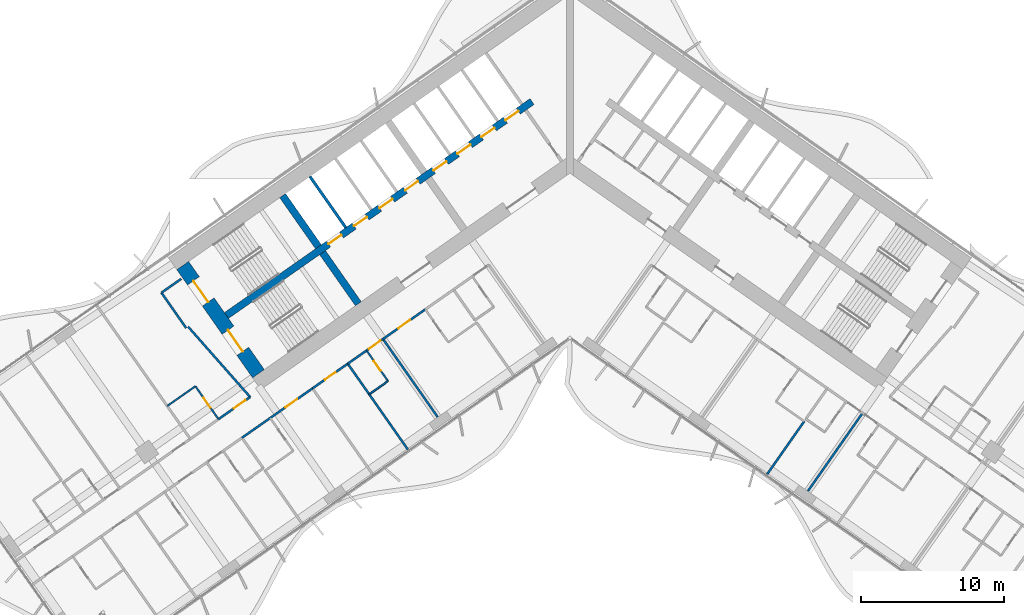
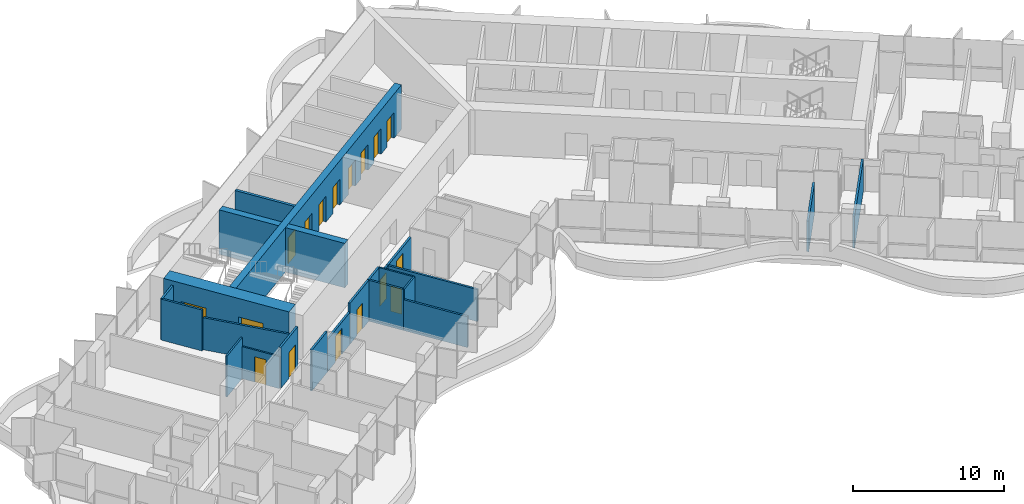
# One storey, part 14 of 25: 24 walls, 17 doors, 17 openings.
"""IFC4 building model written with IfcOpenShell, lengths in metres."""

from ifc_helpers import new_model, si_unit, direction, frame, frame_2d, origin, place, context, subcontext, project, spatial, polyline, rectangle, outline, extrude, material, layer, layer_set, type_object, element, fill, save


model = new_model("IFC4")

# Units and contexts
model_context = context("Model", 3, precision=1e-05, world=origin(), true_north=direction((0.0, 1.0)))
body_context = subcontext(model_context, "Body", "Model", "MODEL_VIEW")
ifc_project = project(units=[si_unit("LENGTHUNIT", "METRE"), si_unit("AREAUNIT", "SQUARE_METRE"), si_unit("VOLUMEUNIT", "CUBIC_METRE"), si_unit("PLANEANGLEUNIT", "RADIAN"), si_unit("MASSUNIT", "GRAM", prefix="KILO")], contexts=[model_context])

# Site, building, storey
site_placement = place(None, origin())
site = spatial("IfcSite", under=ifc_project, at=site_placement, CompositionType="ELEMENT")
building_placement = place(site_placement, origin())
building = spatial("IfcBuilding", under=site, at=building_placement, Name="Tel Ilan Convention Tower", CompositionType="ELEMENT")
storey_placement = place(building_placement, frame((0.0, 0.0, 54.5)))
storey = spatial("IfcBuildingStorey", under=building, at=storey_placement, Name="L08", CompositionType="ELEMENT", Elevation=54.5)

# Wall, openings, doors
ifc_material_1 = material(Name="Concrete C60/75", Category="concrete")
ifc_layer_1 = layer(ifc_material_1, 1.0)
ifc_layer_set_1 = layer_set([ifc_layer_1], Name="Core Shear Wall 1000 mm C60/75")
wall_type_1 = type_object("IfcWallType", Name="Core Shear Wall 1000 mm C60/75", PredefinedType="SHEAR", material=ifc_layer_set_1)
wall_1_placement = place(storey_placement, frame((-21.70751953125, -15.19970703125, 0.0), z_axis=(0.0, 0.0, 1.0), x_axis=(-0.573576324356, 0.819152122709, 0.0)))
wall_1 = element("IfcWall", 1, at=wall_1_placement, inside=storey, type_object=wall_type_1, Name="L08 core wall W-end", PredefinedType="SHEAR", context=body_context, shape_type="SweptSolid", body=[
    extrude(outline(polyline([(0.0, 0.5), (0.0, -0.5), (9.199951171875, -0.5), (9.199951171875, 0.5), (0.0, 0.5)])), origin(), (0.0, 0.0, 1.0), 3.60009765625),
])
opening_1_placement = place(wall_1_placement, frame((6.10009765625, 0.0, 0.0)))
opening_1 = element("IfcOpeningElement", 2, at=opening_1_placement, cuts=wall_1, Name="Opening SD1101", PredefinedType="OPENING", context=body_context, shape_type="SweptSolid", body=[
    extrude(rectangle(XDim=1.800048828125, YDim=2.10009765625, at=frame_2d((0.89990234375, 1.050048828125))), frame((0.0, 0.510009765625, 0.0), z_axis=(0.0, -1.0, 0.0), x_axis=(1.0, 0.0, 0.0)), (0.0, 0.0, 1.0), 1.02001953125),
])
opening_2_placement = place(wall_1_placement, frame((1.89990234375, 0.0, 0.0)))
opening_2 = element("IfcOpeningElement", 3, at=opening_2_placement, cuts=wall_1, Name="Opening SD1102", PredefinedType="OPENING", context=body_context, shape_type="SweptSolid", body=[
    extrude(rectangle(XDim=1.800048828125, YDim=2.10009765625, at=frame_2d((0.89990234375, 1.050048828125))), frame((0.0, 0.510009765625, 0.0), z_axis=(0.0, -1.0, 0.0), x_axis=(1.0, 0.0, 0.0)), (0.0, 0.0, 1.0), 1.02001953125),
])
ifc_material_2 = material(Name="Galvanised Steel Door Leaf", Category="steel")
door_type_1 = type_object("IfcDoorType", Name="Stair Fire Door 1800 x 2100 FD60S", OperationType="NOTDEFINED", PredefinedType="DOOR", material=ifc_material_2)
door_1_placement = place(opening_1_placement, origin())
door_1 = element("IfcDoor", 4, at=door_1_placement, inside=storey, type_object=door_type_1, Name="Stair S1 door", OperationType="DOUBLE_DOOR_SINGLE_SWING", OverallHeight=2.10009765625, OverallWidth=1.800048828125, PredefinedType="DOOR", context=body_context, shape_type="SweptSolid", body=[
    extrude(rectangle(XDim=1.800048828125, YDim=2.10009765625, at=frame_2d((0.89990234375, 1.050048828125))), frame((0.0, 0.02490234375, 0.0), z_axis=(0.0, -1.0, 0.0), x_axis=(1.0, 0.0, 0.0)), (0.0, 0.0, 1.0), 0.050048828125),
])
fill(opening_1, door_1)
door_2_placement = place(opening_2_placement, origin())
door_2 = element("IfcDoor", 5, at=door_2_placement, inside=storey, type_object=door_type_1, Name="Stair S2 door", OperationType="DOUBLE_DOOR_SINGLE_SWING", OverallHeight=2.10009765625, OverallWidth=1.800048828125, PredefinedType="DOOR", context=body_context, shape_type="SweptSolid", body=[
    extrude(rectangle(XDim=1.800048828125, YDim=2.10009765625, at=frame_2d((0.89990234375, 1.050048828125))), frame((0.0, 0.02490234375, 0.0), z_axis=(0.0, -1.0, 0.0), x_axis=(1.0, 0.0, 0.0)), (0.0, 0.0, 1.0), 0.050048828125),
])
fill(opening_2, door_2)

# Walls
ifc_material_3 = material(Name="Concrete C60/75", Category="concrete")
ifc_layer_2 = layer(ifc_material_3, 0.5)
ifc_layer_set_2 = layer_set([ifc_layer_2], Name="Core Shear Wall 500 mm C60/75")
wall_type_2 = type_object("IfcWallType", Name="Core Shear Wall 500 mm C60/75", PredefinedType="SHEAR", material=ifc_layer_set_2)
wall_2_placement = place(storey_placement, frame((-14.74462890625, -10.324462890625, 0.0), z_axis=(0.0, 0.0, 1.0), x_axis=(-0.57356780395, 0.819158088694, 0.0)))
element("IfcWall", 6, at=wall_2_placement, inside=storey, type_object=wall_type_2, Name="L08 core wall W-cross2-1", PredefinedType="SHEAR", context=body_context, shape_type="SweptSolid", body=[
    extrude(outline(polyline([(4.35009765625, 0.250244140625), (0.0, 0.25), (0.0, -0.25), (4.35009765625, -0.25), (4.35009765625, 0.250244140625)])), origin(), (0.0, 0.0, 1.0), 3.60009765625),
])
wall_3_placement = place(storey_placement, frame((-17.526611328125, -6.3515625, 0.0), z_axis=(0.0, 0.0, 1.0), x_axis=(-0.573530143085, 0.819184457233, 0.0)))
element("IfcWall", 7, at=wall_3_placement, inside=storey, type_object=wall_type_2, Name="L08 core wall W-cross2-2", PredefinedType="SHEAR", context=body_context, shape_type="SweptSolid", body=[
    extrude(outline(polyline([(4.35009765625, -0.249755859375), (4.35009765625, 0.250244140625), (0.0, 0.25), (0.0, -0.25), (4.35009765625, -0.249755859375)])), origin(), (0.0, 0.0, 1.0), 3.60009765625),
])

# Wall, openings, doors
wall_4_placement = place(storey_placement, frame((-2.638427734375, 3.76806640625, 0.0), z_axis=(0.0, 0.0, 1.0), x_axis=(-0.819148977158, -0.573580816643, 0.0)))
wall_4 = element("IfcWall", 8, at=wall_4_placement, inside=storey, type_object=wall_type_2, Name="L08 core wall W-spine", PredefinedType="SHEAR", context=body_context, shape_type="SweptSolid", body=[
    extrude(outline(polyline([(26.0, 0.249755859375), (0.0, 0.25), (0.0, -0.25), (26.0, -0.250244140625), (26.0, 0.249755859375)])), origin(), (0.0, 0.0, 1.0), 3.60009765625),
])
opening_3_placement = place(wall_4_placement, frame((1.168701171875, 0.0, 0.0)))
opening_3 = element("IfcOpeningElement", 9, at=opening_3_placement, cuts=wall_4, Name="Opening LD1104", PredefinedType="OPENING", context=body_context, shape_type="SweptSolid", body=[
    extrude(rectangle(XDim=1.10009765625, YDim=2.10009765625, at=frame_2d((0.550048828125, 1.050048828125))), frame((0.0, 0.260009765625, 0.0), z_axis=(0.0, -1.0, 0.0), x_axis=(1.0, 0.0, 0.0)), (0.0, 0.0, 1.0), 0.52001953125),
])
opening_4_placement = place(wall_4_placement, frame((3.206298828125, 0.0, 0.0)))
opening_4 = element("IfcOpeningElement", 10, at=opening_4_placement, cuts=wall_4, Name="Opening LD1105", PredefinedType="OPENING", context=body_context, shape_type="SweptSolid", body=[
    extrude(rectangle(XDim=1.10009765625, YDim=2.10009765625, at=frame_2d((0.550048828125, 1.050048828125))), frame((0.0, 0.260009765625, 0.0), z_axis=(0.0, -1.0, 0.0), x_axis=(1.0, 0.0, 0.0)), (0.0, 0.0, 1.0), 0.52001953125),
])
opening_5_placement = place(wall_4_placement, frame((5.24365234375, 0.0, 0.0)))
opening_5 = element("IfcOpeningElement", 11, at=opening_5_placement, cuts=wall_4, Name="Opening LD1106", PredefinedType="OPENING", context=body_context, shape_type="SweptSolid", body=[
    extrude(rectangle(XDim=1.10009765625, YDim=2.10009765625, at=frame_2d((0.550048828125, 1.050048828125))), frame((0.0, 0.260009765625, 0.0), z_axis=(0.0, -1.0, 0.0), x_axis=(1.0, 0.0, 0.0)), (0.0, 0.0, 1.0), 0.52001953125),
])
opening_6_placement = place(wall_4_placement, frame((7.28125, 0.0, 0.0)))
opening_6 = element("IfcOpeningElement", 12, at=opening_6_placement, cuts=wall_4, Name="Opening LD1107", PredefinedType="OPENING", context=body_context, shape_type="SweptSolid", body=[
    extrude(rectangle(XDim=1.10009765625, YDim=2.10009765625, at=frame_2d((0.550048828125, 1.050048828125))), frame((0.0, 0.260009765625, 0.0), z_axis=(0.0, -1.0, 0.0), x_axis=(1.0, 0.0, 0.0)), (0.0, 0.0, 1.0), 0.52001953125),
])
opening_7_placement = place(wall_4_placement, frame((9.6875, 0.0, 0.0)))
opening_7 = element("IfcOpeningElement", 13, at=opening_7_placement, cuts=wall_4, Name="Opening LD1108", PredefinedType="OPENING", context=body_context, shape_type="SweptSolid", body=[
    extrude(rectangle(XDim=1.10009765625, YDim=2.10009765625, at=frame_2d((0.550048828125, 1.050048828125))), frame((0.0, 0.260009765625, 0.0), z_axis=(0.0, -1.0, 0.0), x_axis=(1.0, 0.0, 0.0)), (0.0, 0.0, 1.0), 0.52001953125),
])
opening_8_placement = place(wall_4_placement, frame((11.862548828125, 0.0, 0.0)))
opening_8 = element("IfcOpeningElement", 14, at=opening_8_placement, cuts=wall_4, Name="Opening LD1109", PredefinedType="OPENING", context=body_context, shape_type="SweptSolid", body=[
    extrude(rectangle(XDim=1.10009765625, YDim=2.10009765625, at=frame_2d((0.550048828125, 1.050048828125))), frame((0.0, 0.260009765625, 0.0), z_axis=(0.0, -1.0, 0.0), x_axis=(1.0, 0.0, 0.0)), (0.0, 0.0, 1.0), 0.52001953125),
])
opening_9_placement = place(wall_4_placement, frame((14.03759765625, 0.0, 0.0)))
opening_9 = element("IfcOpeningElement", 15, at=opening_9_placement, cuts=wall_4, Name="Opening LD1110", PredefinedType="OPENING", context=body_context, shape_type="SweptSolid", body=[
    extrude(rectangle(XDim=1.10009765625, YDim=2.10009765625, at=frame_2d((0.550048828125, 1.050048828125))), frame((0.0, 0.260009765625, 0.0), z_axis=(0.0, -1.0, 0.0), x_axis=(1.0, 0.0, 0.0)), (0.0, 0.0, 1.0), 0.52001953125),
])
opening_10_placement = place(wall_4_placement, frame((16.21240234375, 0.0, 0.0)))
opening_10 = element("IfcOpeningElement", 16, at=opening_10_placement, cuts=wall_4, Name="Opening LD1111", PredefinedType="OPENING", context=body_context, shape_type="SweptSolid", body=[
    extrude(rectangle(XDim=1.10009765625, YDim=2.10009765625, at=frame_2d((0.550048828125, 1.050048828125))), frame((0.0, 0.260009765625, 0.0), z_axis=(0.0, -1.0, 0.0), x_axis=(1.0, 0.0, 0.0)), (0.0, 0.0, 1.0), 0.52001953125),
])
ifc_material_4 = material(Name="Stainless Steel Sliding Door Leaf", Category="steel")
door_type_2 = type_object("IfcDoorType", Name="Lift Landing Door 1100 x 2100 FD120", OperationType="NOTDEFINED", PredefinedType="DOOR", material=ifc_material_4)
door_3_placement = place(opening_3_placement, origin())
door_3 = element("IfcDoor", 17, at=door_3_placement, inside=storey, type_object=door_type_2, Name="Lift LR1 landing door", OperationType="SLIDING_TO_LEFT", OverallHeight=2.10009765625, OverallWidth=1.10009765625, PredefinedType="DOOR", context=body_context, shape_type="SweptSolid", body=[
    extrude(rectangle(XDim=1.10009765625, YDim=2.10009765625, at=frame_2d((0.550048828125, 1.050048828125))), frame((0.0, 0.02490234375, 0.0), z_axis=(0.0, -1.0, 0.0), x_axis=(1.0, 0.0, 0.0)), (0.0, 0.0, 1.0), 0.050048828125),
])
fill(opening_3, door_3)
door_4_placement = place(opening_4_placement, origin())
door_4 = element("IfcDoor", 18, at=door_4_placement, inside=storey, type_object=door_type_2, Name="Lift LR2 landing door", OperationType="SLIDING_TO_RIGHT", OverallHeight=2.10009765625, OverallWidth=1.10009765625, PredefinedType="DOOR", context=body_context, shape_type="SweptSolid", body=[
    extrude(rectangle(XDim=1.10009765625, YDim=2.10009765625, at=frame_2d((0.550048828125, 1.050048828125))), frame((0.0, 0.02490234375, 0.0), z_axis=(0.0, -1.0, 0.0), x_axis=(1.0, 0.0, 0.0)), (0.0, 0.0, 1.0), 0.050048828125),
])
fill(opening_4, door_4)
door_5_placement = place(opening_5_placement, origin())
door_5 = element("IfcDoor", 19, at=door_5_placement, inside=storey, type_object=door_type_2, Name="Lift LR3 landing door", OperationType="SLIDING_TO_LEFT", OverallHeight=2.10009765625, OverallWidth=1.10009765625, PredefinedType="DOOR", context=body_context, shape_type="SweptSolid", body=[
    extrude(rectangle(XDim=1.10009765625, YDim=2.10009765625, at=frame_2d((0.550048828125, 1.050048828125))), frame((0.0, 0.02490234375, 0.0), z_axis=(0.0, -1.0, 0.0), x_axis=(1.0, 0.0, 0.0)), (0.0, 0.0, 1.0), 0.050048828125),
])
fill(opening_5, door_5)
door_6_placement = place(opening_6_placement, origin())
door_6 = element("IfcDoor", 20, at=door_6_placement, inside=storey, type_object=door_type_2, Name="Lift LR4 landing door", OperationType="SLIDING_TO_RIGHT", OverallHeight=2.10009765625, OverallWidth=1.10009765625, PredefinedType="DOOR", context=body_context, shape_type="SweptSolid", body=[
    extrude(rectangle(XDim=1.10009765625, YDim=2.10009765625, at=frame_2d((0.550048828125, 1.050048828125))), frame((0.0, 0.02490234375, 0.0), z_axis=(0.0, -1.0, 0.0), x_axis=(1.0, 0.0, 0.0)), (0.0, 0.0, 1.0), 0.050048828125),
])
fill(opening_6, door_6)
door_7_placement = place(opening_7_placement, origin())
door_7 = element("IfcDoor", 21, at=door_7_placement, inside=storey, type_object=door_type_2, Name="Lift LR5 landing door", OperationType="SLIDING_TO_LEFT", OverallHeight=2.10009765625, OverallWidth=1.10009765625, PredefinedType="DOOR", context=body_context, shape_type="SweptSolid", body=[
    extrude(rectangle(XDim=1.10009765625, YDim=2.10009765625, at=frame_2d((0.550048828125, 1.050048828125))), frame((0.0, 0.02490234375, 0.0), z_axis=(0.0, -1.0, 0.0), x_axis=(1.0, 0.0, 0.0)), (0.0, 0.0, 1.0), 0.050048828125),
])
fill(opening_7, door_7)
door_8_placement = place(opening_8_placement, origin())
door_8 = element("IfcDoor", 22, at=door_8_placement, inside=storey, type_object=door_type_2, Name="Lift LR6 landing door", OperationType="SLIDING_TO_RIGHT", OverallHeight=2.10009765625, OverallWidth=1.10009765625, PredefinedType="DOOR", context=body_context, shape_type="SweptSolid", body=[
    extrude(rectangle(XDim=1.10009765625, YDim=2.10009765625, at=frame_2d((0.550048828125, 1.050048828125))), frame((0.0, 0.02490234375, 0.0), z_axis=(0.0, -1.0, 0.0), x_axis=(1.0, 0.0, 0.0)), (0.0, 0.0, 1.0), 0.050048828125),
])
fill(opening_8, door_8)
door_9_placement = place(opening_9_placement, origin())
door_9 = element("IfcDoor", 23, at=door_9_placement, inside=storey, type_object=door_type_2, Name="Lift LR7 landing door", OperationType="SLIDING_TO_LEFT", OverallHeight=2.10009765625, OverallWidth=1.10009765625, PredefinedType="DOOR", context=body_context, shape_type="SweptSolid", body=[
    extrude(rectangle(XDim=1.10009765625, YDim=2.10009765625, at=frame_2d((0.550048828125, 1.050048828125))), frame((0.0, 0.02490234375, 0.0), z_axis=(0.0, -1.0, 0.0), x_axis=(1.0, 0.0, 0.0)), (0.0, 0.0, 1.0), 0.050048828125),
])
fill(opening_9, door_9)
door_10_placement = place(opening_10_placement, origin())
door_10 = element("IfcDoor", 24, at=door_10_placement, inside=storey, type_object=door_type_2, Name="Lift LR8 landing door", OperationType="SLIDING_TO_RIGHT", OverallHeight=2.10009765625, OverallWidth=1.10009765625, PredefinedType="DOOR", context=body_context, shape_type="SweptSolid", body=[
    extrude(rectangle(XDim=1.10009765625, YDim=2.10009765625, at=frame_2d((0.550048828125, 1.050048828125))), frame((0.0, 0.02490234375, 0.0), z_axis=(0.0, -1.0, 0.0), x_axis=(1.0, 0.0, 0.0)), (0.0, 0.0, 1.0), 0.050048828125),
])
fill(opening_10, door_10)

# Wall, opening, door
ifc_material_5 = material(Name="Plasterboard on Steel Studs", Category="steel")
ifc_layer_3 = layer(ifc_material_5, 0.14990234375)
ifc_layer_set_3 = layer_set([ifc_layer_3], Name="Fire-rated Partition 150 EI 60")
wall_type_3 = type_object("IfcWallType", Name="Fire-rated Partition 150 EI 60", PredefinedType="PARTITIONING", material=ifc_layer_set_3)
wall_5_placement = place(storey_placement, frame((-24.493408203125, -18.37109375, 0.0), z_axis=(0.0, 0.0, 1.0), x_axis=(0.819176640776, 0.573541307325, 0.0)))
wall_5 = element("IfcWall", 25, at=wall_5_placement, inside=storey, type_object=wall_type_3, Name="Partition 028", PredefinedType="PARTITIONING", context=body_context, shape_type="SweptSolid", body=[
    extrude(rectangle(XDim=2.697509765625, YDim=0.14990234375, at=frame_2d((1.3486328125, 0.0))), origin(), (0.0, 0.0, 1.0), 3.320068359375),
])
opening_11_placement = place(wall_5_placement, frame((1.301025390625, 0.0, 0.0)))
opening_11 = element("IfcOpeningElement", 26, at=opening_11_placement, cuts=wall_5, Name="Opening L08-018", PredefinedType="OPENING", context=body_context, shape_type="SweptSolid", body=[
    extrude(rectangle(XDim=1.0, YDim=2.10009765625, at=frame_2d((0.5, 1.050048828125))), frame((0.0, 0.0849609375, 0.0), z_axis=(0.0, -1.0, 0.0), x_axis=(1.0, 0.0, 0.0)), (0.0, 0.0, 1.0), 0.169921875),
])
ifc_material_6 = material(Name="Timber Door Leaf in Steel Frame", Category="steel")
door_type_3 = type_object("IfcDoorType", Name="Hotel Room Entrance Fire Door 1000x2100", OperationType="NOTDEFINED", PredefinedType="DOOR", material=ifc_material_6)
door_11_placement = place(opening_11_placement, origin())
door_11 = element("IfcDoor", 27, at=door_11_placement, inside=storey, type_object=door_type_3, Name="Door L08-018", OperationType="SINGLE_SWING_RIGHT", OverallHeight=2.10009765625, OverallWidth=1.0, PredefinedType="DOOR", context=body_context, shape_type="SweptSolid", body=[
    extrude(rectangle(XDim=1.0, YDim=2.10009765625, at=frame_2d((0.5, 1.050048828125))), frame((0.0, 0.02490234375, 0.0), z_axis=(0.0, -1.0, 0.0), x_axis=(1.0, 0.0, 0.0)), (0.0, 0.0, 1.0), 0.050048828125),
])
fill(opening_11, door_11)

wall_6_placement = place(storey_placement, frame((-10.07421875, -10.71630859375, 0.0), z_axis=(0.0, 0.0, 1.0), x_axis=(-0.819145961204, -0.573585123798, 0.0)))
wall_6 = element("IfcWall", 28, at=wall_6_placement, inside=storey, type_object=wall_type_3, Name="Partition 037", PredefinedType="PARTITIONING", context=body_context, shape_type="SweptSolid", body=[
    extrude(rectangle(XDim=3.60302734375, YDim=0.14990234375, at=frame_2d((1.801513671875, 0.0))), origin(), (0.0, 0.0, 1.0), 2.60009765625),
])
opening_12_placement = place(wall_6_placement, frame((1.301025390625, 0.0, 0.0)))
opening_12 = element("IfcOpeningElement", 29, at=opening_12_placement, cuts=wall_6, Name="Opening L08-004", PredefinedType="OPENING", context=body_context, shape_type="SweptSolid", body=[
    extrude(rectangle(XDim=1.0, YDim=2.10009765625, at=frame_2d((0.5, 1.050048828125))), frame((0.0, 0.0849609375, 0.0), z_axis=(0.0, -1.0, 0.0), x_axis=(1.0, 0.0, 0.0)), (0.0, 0.0, 1.0), 0.169921875),
])
door_12_placement = place(opening_12_placement, origin())
door_12 = element("IfcDoor", 30, at=door_12_placement, inside=storey, type_object=door_type_3, Name="Door L08-004", OperationType="SINGLE_SWING_RIGHT", OverallHeight=2.10009765625, OverallWidth=1.0, PredefinedType="DOOR", context=body_context, shape_type="SweptSolid", body=[
    extrude(rectangle(XDim=1.0, YDim=2.10009765625, at=frame_2d((0.5, 1.050048828125))), frame((0.0, 0.02490234375, 0.0), z_axis=(0.0, -1.0, 0.0), x_axis=(1.0, 0.0, 0.0)), (0.0, 0.0, 1.0), 0.050048828125),
])
fill(opening_12, door_12)

wall_7_placement = place(storey_placement, frame((-13.0224609375, -12.78076171875, 0.0), z_axis=(0.0, 0.0, 1.0), x_axis=(-0.81914197737, -0.573590813132, 0.0)))
wall_7 = element("IfcWall", 31, at=wall_7_placement, inside=storey, type_object=wall_type_3, Name="Partition 039", PredefinedType="PARTITIONING", context=body_context, shape_type="SweptSolid", body=[
    extrude(rectangle(XDim=1.40283203125, YDim=0.14990234375, at=frame_2d((0.701416015625, 0.0))), origin(), (0.0, 0.0, 1.0), 2.60009765625),
])
opening_13_placement = place(wall_7_placement, frame((0.201904296875, 0.0, 0.0)))
opening_13 = element("IfcOpeningElement", 32, at=opening_13_placement, cuts=wall_7, Name="Opening L08-006", PredefinedType="OPENING", context=body_context, shape_type="SweptSolid", body=[
    extrude(rectangle(XDim=1.0, YDim=2.10009765625, at=frame_2d((0.5, 1.050048828125))), frame((0.0, 0.0849609375, 0.0), z_axis=(0.0, -1.0, 0.0), x_axis=(1.0, 0.0, 0.0)), (0.0, 0.0, 1.0), 0.169921875),
])
door_13_placement = place(opening_13_placement, origin())
door_13 = element("IfcDoor", 33, at=door_13_placement, inside=storey, type_object=door_type_3, Name="Door L08-006", OperationType="SINGLE_SWING_LEFT", OverallHeight=2.10009765625, OverallWidth=1.0, PredefinedType="DOOR", context=body_context, shape_type="SweptSolid", body=[
    extrude(rectangle(XDim=1.0, YDim=2.10009765625, at=frame_2d((0.5, 1.050048828125))), frame((0.0, 0.02490234375, 0.0), z_axis=(0.0, -1.0, 0.0), x_axis=(1.0, 0.0, 0.0)), (0.0, 0.0, 1.0), 0.050048828125),
])
fill(opening_13, door_13)

# Wall
wall_8_placement = place(storey_placement, frame((-14.169189453125, -13.583740234375, 0.0), z_axis=(0.0, 0.0, 1.0), x_axis=(-0.819189013667, -0.573523634986, 0.0)))
element("IfcWall", 34, at=wall_8_placement, inside=storey, type_object=wall_type_3, Name="Partition 040", PredefinedType="PARTITIONING", context=body_context, shape_type="SweptSolid", body=[
    extrude(rectangle(XDim=1.60400390625, YDim=0.14990234375, at=frame_2d((0.802001953125, 0.0))), origin(), (0.0, 0.0, 1.0), 3.320068359375),
])

# Wall, opening, door
wall_9_placement = place(storey_placement, frame((-15.479736328125, -14.50146484375, 0.0), z_axis=(0.0, 0.0, 1.0), x_axis=(-0.819193738533, -0.573516886193, 0.0)))
wall_9 = element("IfcWall", 35, at=wall_9_placement, inside=storey, type_object=wall_type_3, Name="Partition 041", PredefinedType="PARTITIONING", context=body_context, shape_type="SweptSolid", body=[
    extrude(rectangle(XDim=3.004150390625, YDim=0.14990234375, at=frame_2d((1.501953125, 0.0))), origin(), (0.0, 0.0, 1.0), 3.320068359375),
])
opening_14_placement = place(wall_9_placement, frame((1.052001953125, 0.0, 0.0)))
opening_14 = element("IfcOpeningElement", 36, at=opening_14_placement, cuts=wall_9, Name="Opening L08-007", PredefinedType="OPENING", context=body_context, shape_type="SweptSolid", body=[
    extrude(rectangle(XDim=0.89990234375, YDim=2.10009765625, at=frame_2d((0.449951171875, 1.050048828125))), frame((0.0, 0.0849609375, 0.0), z_axis=(0.0, -1.0, 0.0), x_axis=(1.0, 0.0, 0.0)), (0.0, 0.0, 1.0), 0.169921875),
])
ifc_material_7 = material(Name="Timber Door Leaf in Steel Frame", Category="steel")
door_type_4 = type_object("IfcDoorType", Name="Room Fire Door 900x2100", OperationType="NOTDEFINED", PredefinedType="DOOR", material=ifc_material_7)
door_14_placement = place(opening_14_placement, origin())
door_14 = element("IfcDoor", 37, at=door_14_placement, inside=storey, type_object=door_type_4, Name="Door L08-007", OperationType="SINGLE_SWING_RIGHT", OverallHeight=2.10009765625, OverallWidth=0.89990234375, PredefinedType="DOOR", context=body_context, shape_type="SweptSolid", body=[
    extrude(rectangle(XDim=0.89990234375, YDim=2.10009765625, at=frame_2d((0.449951171875, 1.050048828125))), frame((0.0, 0.02490234375, 0.0), z_axis=(0.0, -1.0, 0.0), x_axis=(1.0, 0.0, 0.0)), (0.0, 0.0, 1.0), 0.050048828125),
])
fill(opening_14, door_14)

wall_10_placement = place(storey_placement, frame((-17.937255859375, -16.22216796875, 0.0), z_axis=(0.0, 0.0, 1.0), x_axis=(-0.819145961204, -0.573585123798, 0.0)))
wall_10 = element("IfcWall", 38, at=wall_10_placement, inside=storey, type_object=wall_type_3, Name="Partition 042", PredefinedType="PARTITIONING", context=body_context, shape_type="SweptSolid", body=[
    extrude(rectangle(XDim=3.60302734375, YDim=0.14990234375, at=frame_2d((1.801513671875, 0.0))), origin(), (0.0, 0.0, 1.0), 2.60009765625),
])
opening_15_placement = place(wall_10_placement, frame((1.302001953125, 0.0, 0.0)))
opening_15 = element("IfcOpeningElement", 39, at=opening_15_placement, cuts=wall_10, Name="Opening L08-009", PredefinedType="OPENING", context=body_context, shape_type="SweptSolid", body=[
    extrude(rectangle(XDim=1.0, YDim=2.10009765625, at=frame_2d((0.5, 1.050048828125))), frame((0.0, 0.0849609375, 0.0), z_axis=(0.0, -1.0, 0.0), x_axis=(1.0, 0.0, 0.0)), (0.0, 0.0, 1.0), 0.169921875),
])
door_15_placement = place(opening_15_placement, origin())
door_15 = element("IfcDoor", 40, at=door_15_placement, inside=storey, type_object=door_type_3, Name="Door L08-009", OperationType="SINGLE_SWING_LEFT", OverallHeight=2.10009765625, OverallWidth=1.0, PredefinedType="DOOR", context=body_context, shape_type="SweptSolid", body=[
    extrude(rectangle(XDim=1.0, YDim=2.10009765625, at=frame_2d((0.5, 1.050048828125))), frame((0.0, 0.02490234375, 0.0), z_axis=(0.0, -1.0, 0.0), x_axis=(1.0, 0.0, 0.0)), (0.0, 0.0, 1.0), 0.050048828125),
])
fill(opening_15, door_15)

# Walls
wall_11_placement = place(storey_placement, frame((-20.88623046875, -18.287109375, 0.0), z_axis=(0.0, 0.0, 1.0), x_axis=(-0.819146032251, -0.573585022335, 0.0)))
element("IfcWall", 41, at=wall_11_placement, inside=storey, type_object=wall_type_3, Name="Partition 043", PredefinedType="PARTITIONING", context=body_context, shape_type="SweptSolid", body=[
    extrude(rectangle(XDim=2.404052734375, YDim=0.14990234375, at=frame_2d((1.2021484375, 0.0))), origin(), (0.0, 0.0, 1.0), 3.320068359375),
])
wall_12_placement = place(storey_placement, frame((16.332275390625, -18.517578125, 0.0), z_axis=(0.0, 0.0, 1.0), x_axis=(-0.573564311442, -0.819160534108, 0.0)))
element("IfcWall", 42, at=wall_12_placement, inside=storey, type_object=wall_type_3, Name="Partition 080", PredefinedType="PARTITIONING", context=body_context, shape_type="SweptSolid", body=[
    extrude(rectangle(XDim=4.499267578125, YDim=0.14990234375, at=frame_2d((2.24951171875, 0.0))), origin(), (0.0, 0.0, 1.0), 2.5),
])
wall_13_placement = place(storey_placement, frame((20.396484375, -17.944091796875, 0.0), z_axis=(0.0, 0.0, 1.0), x_axis=(-0.57359826181, -0.819136761505, 0.0)))
element("IfcWall", 43, at=wall_13_placement, inside=storey, type_object=wall_type_3, Name="Partition 084", PredefinedType="PARTITIONING", context=body_context, shape_type="SweptSolid", body=[
    extrude(rectangle(XDim=6.630126953125, YDim=0.14990234375, at=frame_2d((3.31494140625, 0.0))), origin(), (0.0, 0.0, 1.0), 2.60009765625),
])
wall_14_placement = place(storey_placement, frame((-26.74609375, -12.013671875, 0.0), z_axis=(0.0, 0.0, 1.0), x_axis=(-0.573560650686, 0.819163097304, 0.0)))
element("IfcWall", 44, at=wall_14_placement, inside=storey, type_object=wall_type_3, Name="Partition 102", PredefinedType="PARTITIONING", context=body_context, shape_type="SweptSolid", body=[
    extrude(rectangle(XDim=3.0, YDim=0.14990234375, at=frame_2d((1.5, 0.0))), origin(), (0.0, 0.0, 1.0), 3.320068359375),
])
wall_15_placement = place(storey_placement, frame((-28.466796875, -9.55615234375, 0.0), z_axis=(0.0, 0.0, 1.0), x_axis=(0.819109000826, 0.573637903879, 0.0)))
element("IfcWall", 45, at=wall_15_placement, inside=storey, type_object=wall_type_3, Name="Partition 103", PredefinedType="PARTITIONING", context=body_context, shape_type="SweptSolid", body=[
    extrude(rectangle(XDim=1.679931640625, YDim=0.14990234375, at=frame_2d((0.83984375, 0.0))), origin(), (0.0, 0.0, 1.0), 3.320068359375),
])
wall_16_placement = place(storey_placement, frame((-22.2841796875, -16.82666015625, 0.0), z_axis=(0.0, 0.0, 1.0), x_axis=(-0.661545117561, 0.749905365651, 0.0)))
element("IfcWall", 46, at=wall_16_placement, inside=storey, type_object=wall_type_3, Name="Partition 104", PredefinedType="PARTITIONING", context=body_context, shape_type="SweptSolid", body=[
    extrude(rectangle(XDim=6.542724609375, YDim=0.14990234375, at=frame_2d((3.271484375, 0.0))), origin(), (0.0, 0.0, 1.0), 2.60009765625),
])
wall_17_placement = place(storey_placement, frame((-9.22119140625, -18.212890625, 0.0), z_axis=(0.0, 0.0, 1.0), x_axis=(-0.573556251799, 0.819166177294, 0.0)))
element("IfcWall", 47, at=wall_17_placement, inside=storey, type_object=wall_type_3, Name="Partition 122", PredefinedType="PARTITIONING", context=body_context, shape_type="SweptSolid", body=[
    extrude(rectangle(XDim=6.630126953125, YDim=0.14990234375, at=frame_2d((3.31494140625, 0.0))), origin(), (0.0, 0.0, 1.0), 2.60009765625),
])
wall_18_placement = place(storey_placement, frame((-11.29443359375, -20.482421875, 0.0), z_axis=(0.0, 0.0, 1.0), x_axis=(-0.573559978739, 0.819163567787, 0.0)))
element("IfcWall", 48, at=wall_18_placement, inside=storey, type_object=wall_type_3, Name="Partition 125", PredefinedType="PARTITIONING", context=body_context, shape_type="SweptSolid", body=[
    extrude(rectangle(XDim=4.69873046875, YDim=0.14990234375, at=frame_2d((2.349365234375, 0.0))), origin(), (0.0, 0.0, 1.0), 2.5),
])
wall_19_placement = place(storey_placement, frame((-13.990234375, -16.63232421875, 0.0), z_axis=(0.0, 0.0, 1.0), x_axis=(-0.573582085028, 0.819148089014, 0.0)))
element("IfcWall", 49, at=wall_19_placement, inside=storey, type_object=wall_type_3, Name="Partition 126", PredefinedType="PARTITIONING", context=body_context, shape_type="SweptSolid", body=[
    extrude(rectangle(XDim=2.599853515625, YDim=0.14990234375, at=frame_2d((1.2998046875, 0.0))), origin(), (0.0, 0.0, 1.0), 3.320068359375),
])
ifc_material_8 = material(Name="Concrete C30/37", Category="concrete")
ifc_layer_4 = layer(ifc_material_8, 0.199951171875)
ifc_layer_set_4 = layer_set([ifc_layer_4], Name="Lift Shaft Wall 200 mm C30/37")
wall_type_4 = type_object("IfcWallType", Name="Lift Shaft Wall 200 mm C30/37", PredefinedType="SOLIDWALL", material=ifc_layer_set_4)
wall_20_placement = place(storey_placement, frame((-15.6220703125, -5.017822265625, 0.0), z_axis=(0.0, 0.0, 1.0), x_axis=(-0.573594173421, 0.819139624372, 0.0)))
element("IfcWall", 50, at=wall_20_placement, inside=storey, type_object=wall_type_4, Name="L08 core wall bank-W2-p2", PredefinedType="SOLIDWALL", context=body_context, shape_type="SweptSolid", body=[
    extrude(rectangle(XDim=4.349853515625, YDim=0.199951171875, at=frame_2d((2.1748046875, 0.0))), origin(), (0.0, 0.0, 1.0), 3.60009765625),
])

# Wall, opening, door
ifc_material_9 = material(Name="Plasterboard on Steel Studs", Category="steel")
ifc_layer_5 = layer(ifc_material_9, 0.1201171875)
ifc_layer_set_5 = layer_set([ifc_layer_5], Name="Moisture-resistant Partition 120")
wall_type_5 = type_object("IfcWallType", Name="Moisture-resistant Partition 120", PredefinedType="PARTITIONING", material=ifc_layer_set_5)
wall_21_placement = place(storey_placement, frame((-24.49169921875, -18.3701171875, 0.0), z_axis=(0.0, 0.0, 1.0), x_axis=(-0.573550118428, 0.819170471667, 0.0)))
wall_21 = element("IfcWall", 51, at=wall_21_placement, inside=storey, type_object=wall_type_5, Name="Partition 105", PredefinedType="PARTITIONING", context=body_context, shape_type="SweptSolid", body=[
    extrude(rectangle(XDim=2.800048828125, YDim=0.1201171875, at=frame_2d((1.39990234375, 0.0))), origin(), (0.0, 0.0, 1.0), 2.60009765625),
])
opening_16_placement = place(wall_21_placement, frame((0.97509765625, 0.0, 0.0)))
opening_16 = element("IfcOpeningElement", 52, at=opening_16_placement, cuts=wall_21, Name="Opening L08-017", PredefinedType="OPENING", context=body_context, shape_type="SweptSolid", body=[
    extrude(rectangle(XDim=0.85009765625, YDim=2.050048828125, at=frame_2d((0.425048828125, 1.02490234375))), frame((0.0, 0.070068359375, 0.0), z_axis=(0.0, -1.0, 0.0), x_axis=(1.0, 0.0, 0.0)), (0.0, 0.0, 1.0), 0.14013671875),
])
ifc_material_10 = material(Name="Timber Door Leaf in Steel Frame", Category="steel")
door_type_5 = type_object("IfcDoorType", Name="Bathroom Timber Door 850x2050", OperationType="NOTDEFINED", PredefinedType="DOOR", material=ifc_material_10)
door_16_placement = place(opening_16_placement, origin())
door_16 = element("IfcDoor", 53, at=door_16_placement, inside=storey, type_object=door_type_5, Name="Door L08-017", OperationType="SINGLE_SWING_LEFT", OverallHeight=2.050048828125, OverallWidth=0.85009765625, PredefinedType="DOOR", context=body_context, shape_type="SweptSolid", body=[
    extrude(rectangle(XDim=0.85009765625, YDim=2.050048828125, at=frame_2d((0.425048828125, 1.02490234375))), frame((0.0, 0.02490234375, 0.0), z_axis=(0.0, -1.0, 0.0), x_axis=(1.0, 0.0, 0.0)), (0.0, 0.0, 1.0), 0.050048828125),
])
fill(opening_16, door_16)

# Walls
wall_22_placement = place(storey_placement, frame((-26.09912109375, -16.076171875, 0.0), z_axis=(0.0, 0.0, 1.0), x_axis=(-0.819155442668, -0.573571582932, 0.0)))
element("IfcWall", 54, at=wall_22_placement, inside=storey, type_object=wall_type_5, Name="Partition 106", PredefinedType="PARTITIONING", context=body_context, shape_type="SweptSolid", body=[
    extrude(rectangle(XDim=2.39990234375, YDim=0.1201171875, at=frame_2d((1.199951171875, 0.0))), origin(), (0.0, 0.0, 1.0), 3.320068359375),
])
wall_23_placement = place(storey_placement, frame((-13.989501953125, -16.63330078125, 0.0), z_axis=(0.0, 0.0, 1.0), x_axis=(0.819131543282, 0.57360571371, 0.0)))
element("IfcWall", 55, at=wall_23_placement, inside=storey, type_object=wall_type_5, Name="Partition 123", PredefinedType="PARTITIONING", context=body_context, shape_type="SweptSolid", body=[
    extrude(rectangle(XDim=1.599853515625, YDim=0.1201171875, at=frame_2d((0.7998046875, 0.0))), origin(), (0.0, 0.0, 1.0), 3.320068359375),
])

# Wall, opening, door
wall_24_placement = place(storey_placement, frame((-12.6787109375, -15.714111328125, 0.0), z_axis=(0.0, 0.0, 1.0), x_axis=(-0.573537965655, 0.819178980414, 0.0)))
wall_24 = element("IfcWall", 56, at=wall_24_placement, inside=storey, type_object=wall_type_5, Name="Partition 124", PredefinedType="PARTITIONING", context=body_context, shape_type="SweptSolid", body=[
    extrude(rectangle(XDim=2.60009765625, YDim=0.1201171875, at=frame_2d((1.300048828125, 0.0))), origin(), (0.0, 0.0, 1.0), 3.320068359375),
])
opening_17_placement = place(wall_24_placement, frame((0.875, 0.0, 0.0)))
opening_17 = element("IfcOpeningElement", 57, at=opening_17_placement, cuts=wall_24, Name="Opening L08-005", PredefinedType="OPENING", context=body_context, shape_type="SweptSolid", body=[
    extrude(rectangle(XDim=0.85009765625, YDim=2.050048828125, at=frame_2d((0.425048828125, 1.02490234375))), frame((0.0, 0.070068359375, 0.0), z_axis=(0.0, -1.0, 0.0), x_axis=(1.0, 0.0, 0.0)), (0.0, 0.0, 1.0), 0.14013671875),
])
door_17_placement = place(opening_17_placement, origin())
door_17 = element("IfcDoor", 58, at=door_17_placement, inside=storey, type_object=door_type_5, Name="Door L08-005", OperationType="SINGLE_SWING_RIGHT", OverallHeight=2.050048828125, OverallWidth=0.85009765625, PredefinedType="DOOR", context=body_context, shape_type="SweptSolid", body=[
    extrude(rectangle(XDim=0.85009765625, YDim=2.050048828125, at=frame_2d((0.425048828125, 1.02490234375))), frame((0.0, 0.02490234375, 0.0), z_axis=(0.0, -1.0, 0.0), x_axis=(1.0, 0.0, 0.0)), (0.0, 0.0, 1.0), 0.050048828125),
])
fill(opening_17, door_17)

save(model, "model.ifc")
